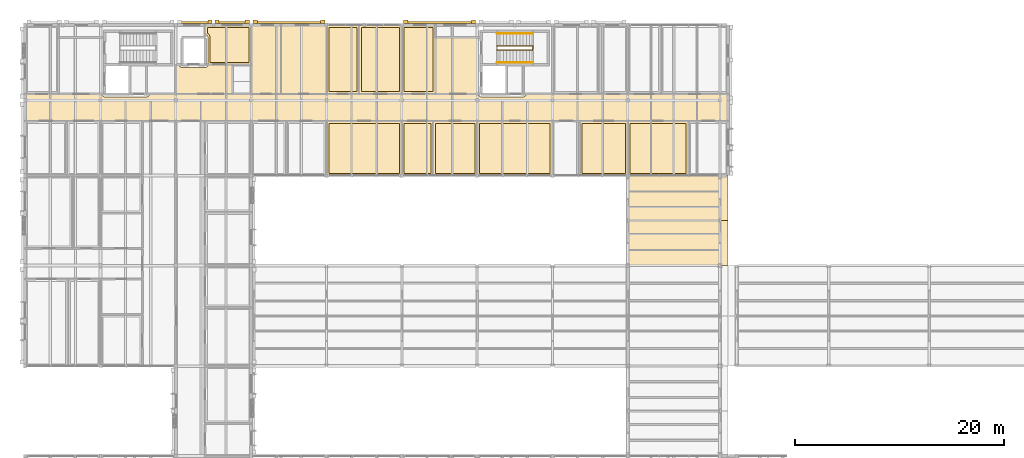
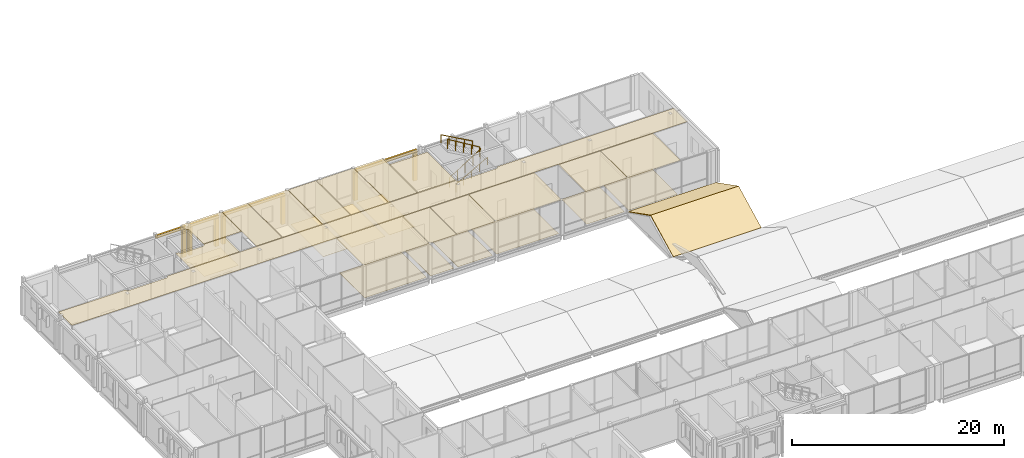
# One storey, part 108 of 115: 38 coverings, 3 railings.
"""IFC4 building model written with IfcOpenShell, lengths in metres."""

import ifcopenshell
import ifcopenshell.guid

model = None  # the IFC model being written
_history = None  # IfcOwnerHistory: only IFC2X3 demands one
_inside = {}  # id of a spatial element -> (the spatial element, [elements in it])
_under = {}  # id of a project, library or spatial element -> (it, [spatial elements below it])
_declared = {}  # id of a project -> (the project, [libraries it declares])
_typed = {}  # id of a type object -> (the type object, [elements of that type])
_made_of = {}  # id of a material, layer set ... -> (it, [elements and type objects made of it])


def new_model(schema):
    """Start an empty IFC model of exactly this schema.

    Asked for "IFC4X3", IfcOpenShell would pick the latest addendum, in which some entities
    have other attributes; the version numbers below select the first issue.
    IFC2X3 requires an IfcOwnerHistory on every rooted entity: one is made here for all.
    """
    global model, _history
    if schema == "IFC4X3":
        model = ifcopenshell.file(schema_version=(4, 3, 0, 0))
    else:
        model = ifcopenshell.file(schema=schema)
    _inside.clear()
    _under.clear()
    _declared.clear()
    _typed.clear()
    _made_of.clear()
    _history = None
    if model.schema == "IFC2X3":
        org = make("IfcOrganization", Name="unknown")
        user = make(
            "IfcPersonAndOrganization",
            ThePerson=make("IfcPerson", FamilyName="unknown"),
            TheOrganization=org,
        )
        app = make(
            "IfcApplication",
            ApplicationDeveloper=org,
            Version="unknown",
            ApplicationFullName="unknown",
            ApplicationIdentifier="unknown",
        )
        _history = make(
            "IfcOwnerHistory",
            OwningUser=user,
            OwningApplication=app,
            ChangeAction="ADDED",
            CreationDate=0,
        )
    return model


def make(cls, **values):
    """One entity of the class cls with the attributes given. An attribute that is None is left unset."""
    return model.create_entity(
        cls, **{name: value for name, value in values.items() if value is not None}
    )


def rooted(cls, **values):
    """An entity with a GlobalId (a new one), such as an element, a storey or a relation."""
    return make(cls, GlobalId=ifcopenshell.guid.new(), OwnerHistory=_history, **values)


def si_unit(unit_type, name, prefix=None):
    """IfcSIUnit, for example si_unit("LENGTHUNIT", "METRE", prefix="MILLI")."""
    return make("IfcSIUnit", UnitType=unit_type, Prefix=prefix, Name=name)


def assignment(units):
    """IfcUnitAssignment: the units of a project."""
    return None if units is None else make("IfcUnitAssignment", Units=units)


def point(xyz):
    """IfcCartesianPoint."""
    return None if xyz is None else make("IfcCartesianPoint", Coordinates=xyz)


def direction(xyz):
    """IfcDirection."""
    return None if xyz is None else make("IfcDirection", DirectionRatios=xyz)


def frame(location, z_axis=None, x_axis=None):
    """IfcAxis2Placement3D, a coordinate frame: its origin and axes. An axis left out is left unset."""
    return make(
        "IfcAxis2Placement3D",
        Location=point(location),
        Axis=direction(z_axis),
        RefDirection=direction(x_axis),
    )


def frame_2d(location, x_axis=None):
    """IfcAxis2Placement2D, a coordinate frame in the plane: its origin and x axis."""
    return make(
        "IfcAxis2Placement2D", Location=point(location), RefDirection=direction(x_axis)
    )


def origin():
    """The frame at (0, 0, 0) with its axes left unset."""
    return frame((0.0, 0.0, 0.0))


def origin_2d():
    """The frame at (0, 0) in the plane with its x axis left unset."""
    return frame_2d((0.0, 0.0))


def place(relative_to, where):
    """IfcLocalPlacement: puts the frame where relative to a parent placement (None: the world)."""
    return make(
        "IfcLocalPlacement", PlacementRelTo=relative_to, RelativePlacement=where
    )


def context(
    kind, dimensions, precision=None, world=None, true_north=None, identifier=None
):
    """IfcGeometricRepresentationContext, for example the 3D "Model" context."""
    return make(
        "IfcGeometricRepresentationContext",
        ContextIdentifier=identifier,
        ContextType=kind,
        CoordinateSpaceDimension=dimensions,
        Precision=precision,
        WorldCoordinateSystem=world,
        TrueNorth=true_north,
    )


def subcontext(parent, identifier, kind, view, scale=None):
    """IfcGeometricRepresentationSubContext, for example "Body" below "Model"."""
    return make(
        "IfcGeometricRepresentationSubContext",
        ContextIdentifier=identifier,
        ContextType=kind,
        ParentContext=parent,
        TargetScale=scale,
        TargetView=view,
    )


def project(units=None, contexts=None):
    """IfcProject with its units and contexts."""
    return rooted(
        "IfcProject",
        Name="project",
        RepresentationContexts=contexts,
        UnitsInContext=assignment(units),
    )


def spatial(cls, under=None, at=None, **own):
    """A site, building, storey or space (cls), placed at a placement, below another one or the project."""
    s = rooted(cls, ObjectPlacement=at, **own)
    if under is not None:
        _under.setdefault(under.id(), (under, []))[1].append(s)
    return s


def polyline(points):
    """IfcPolyline through the points."""
    return make("IfcPolyline", Points=[point(p) for p in points])


def profile(cls, at=None, kind="AREA", **sizes):
    """A parametric profile (cls). Its sizes go by their IFC names, for example OverallWidth=200.0."""
    return make(cls, ProfileType=kind, Position=at, **sizes)


def rectangle(**sizes):
    """IfcRectangleProfileDef."""
    return profile("IfcRectangleProfileDef", **sizes)


def circle(**sizes):
    """IfcCircleProfileDef."""
    return profile("IfcCircleProfileDef", **sizes)


def outline(outer, holes=None, kind="AREA"):
    """IfcArbitraryClosedProfileDef: a profile drawn as a closed curve; with holes, ...WithVoids."""
    if holes is None:
        return make("IfcArbitraryClosedProfileDef", ProfileType=kind, OuterCurve=outer)
    return make(
        "IfcArbitraryProfileDefWithVoids",
        ProfileType=kind,
        OuterCurve=outer,
        InnerCurves=holes,
    )


def extrude(swept, where, along, depth):
    """IfcExtrudedAreaSolid: the profile swept, set in the frame where, extruded along a direction by depth."""
    return make(
        "IfcExtrudedAreaSolid",
        SweptArea=swept,
        Position=where,
        ExtrudedDirection=direction(along),
        Depth=depth,
    )


def shape(context_of_items, identifier, shape_type, items):
    """IfcShapeRepresentation: the items that make up one representation, for example the "Body"."""
    return make(
        "IfcShapeRepresentation",
        ContextOfItems=context_of_items,
        RepresentationIdentifier=identifier,
        RepresentationType=shape_type,
        Items=items,
    )


def material(Name=None, Category=None):
    """IfcMaterial."""
    return make("IfcMaterial", Name=Name, Category=Category)


def layer(
    of_material, thickness, ventilated=None, Name=None, Category=None, Priority=None
):
    """IfcMaterialLayer: one layer of a wall or slab, of a material (None: an air gap)."""
    return make(
        "IfcMaterialLayer",
        Material=of_material,
        LayerThickness=thickness,
        IsVentilated=ventilated,
        Name=Name,
        Category=Category,
        Priority=Priority,
    )


def layer_set(layers, Name=None):
    """IfcMaterialLayerSet."""
    return make("IfcMaterialLayerSet", MaterialLayers=layers, LayerSetName=Name)


def made_of(thing, what):
    """Note that an element or type object is made of a material, layer set ...; save() writes the relation."""
    if what is not None:
        _made_of.setdefault(what.id(), (what, []))[1].append(thing)
    return thing


def type_object(cls, material=None, **own):
    """A type object (cls), such as IfcWallType, which elements share."""
    return made_of(rooted(cls, **own), material)


def element(
    cls,
    number,
    at=None,
    inside=None,
    cuts=None,
    type_object=None,
    material=None,
    context=None,
    identifier="Body",
    shape_type=None,
    held_by="IfcProductDefinitionShape",
    body=None,
    shapes=None,
    **own,
):
    """One element of the class cls, such as IfcWall. Its Tag is "e" and its number.

    at: its placement. inside: the storey or other place that contains it. cuts: it is an
    opening in that element (IfcRelVoidsElement). A single representation is given by context,
    identifier, shape_type and body (its items); several are given by shapes. held_by: the class
    of the entity that holds the representations. save() writes the other relations.
    """
    e = rooted(cls, Tag="e%d" % number, ObjectPlacement=at, **own)
    if body is not None:
        shapes = [shape(context, identifier, shape_type, body)]
    if shapes is not None:
        e.Representation = make(held_by, Representations=shapes)
    if inside is not None:
        _inside.setdefault(inside.id(), (inside, []))[1].append(e)
    if cuts is not None:
        rooted(
            "IfcRelVoidsElement", RelatingBuildingElement=cuts, RelatedOpeningElement=e
        )
    if type_object is not None:
        _typed.setdefault(type_object.id(), (type_object, []))[1].append(e)
    return made_of(e, material)


def aggregate(whole, parts):
    """IfcRelAggregates: a whole, such as a stair, and the parts it consists of."""
    return rooted("IfcRelAggregates", RelatingObject=whole, RelatedObjects=parts)


def save(model, path):
    """Write the relations noted so far, then the file.

    IfcRelAggregates (storeys below a building ...), IfcRelContainedInSpatialStructure (elements
    in a storey), IfcRelDefinesByType, IfcRelAssociatesMaterial and IfcRelDeclares: one each for
    every whole, place, type object, material and project.
    """
    for whole, parts in _under.values():
        aggregate(whole, parts)
    for where, things in _inside.values():
        rooted(
            "IfcRelContainedInSpatialStructure",
            RelatedElements=things,
            RelatingStructure=where,
        )
    for kind, things in _typed.values():
        rooted("IfcRelDefinesByType", RelatedObjects=things, RelatingType=kind)
    for what, things in _made_of.values():
        rooted("IfcRelAssociatesMaterial", RelatedObjects=things, RelatingMaterial=what)
    for by, libraries in _declared.values():
        rooted("IfcRelDeclares", RelatingContext=by, RelatedDefinitions=libraries)
    model.write(path)


model = new_model("IFC4")

# Units and contexts
model_context = context("Model", 3, precision=1e-05, world=origin(), true_north=direction((0.0, 1.0)))
body_context = subcontext(model_context, "Body", "Model", "MODEL_VIEW")
ifc_project = project(units=[si_unit("LENGTHUNIT", "METRE"), si_unit("AREAUNIT", "SQUARE_METRE"), si_unit("VOLUMEUNIT", "CUBIC_METRE"), si_unit("PLANEANGLEUNIT", "RADIAN"), si_unit("MASSUNIT", "GRAM", prefix="KILO")], contexts=[model_context])

# Site, building, storey
site_placement = place(None, origin())
site = spatial("IfcSite", under=ifc_project, at=site_placement, CompositionType="ELEMENT")
building_placement = place(site_placement, origin())
building = spatial("IfcBuilding", under=site, at=building_placement, Name="Hawrajan Terrace Health Centre", CompositionType="ELEMENT")
storey_placement = place(building_placement, frame((0.0, 0.0, 9.0)))
storey = spatial("IfcBuildingStorey", under=building, at=storey_placement, Name="L02", CompositionType="ELEMENT", Elevation=9.0)

# Coverings
ifc_material_1 = material(Name="Precast concrete C40/50", Category="concrete")
ifc_layer_1 = layer(ifc_material_1, 0.219970703125)
ifc_layer_set_1 = layer_set([ifc_layer_1], Name="Precast concrete C40/50")
covering_type_1 = type_object("IfcCoveringType", Name="ArtDecoCorniceBand", PredefinedType="CLADDING", material=ifc_layer_set_1)
covering_1_placement = place(storey_placement, frame((20.81005859375, 60.044921875, 3.22021484375), z_axis=(0.0, 0.0, 1.0), x_axis=(1.0, 0.0, 0.0)))
element("IfcCovering", 1, at=covering_1_placement, inside=storey, type_object=covering_type_1, Name="Art Deco limestone cornice band CRN-L02-0122", PredefinedType="CLADDING", context=body_context, shape_type="SweptSolid", body=[
    extrude(rectangle(XDim=3.300048828125, YDim=0.219970703125, at=origin_2d()), origin(), (0.0, 0.0, 1.0), 0.300048828125),
])
covering_2_placement = place(storey_placement, frame((24.3798828125, 60.044921875, 3.22021484375), z_axis=(0.0, 0.0, 1.0), x_axis=(1.0, 0.0, 0.0)))
element("IfcCovering", 2, at=covering_2_placement, inside=storey, type_object=covering_type_1, Name="Art Deco limestone cornice band CRN-L02-0123", PredefinedType="CLADDING", context=body_context, shape_type="SweptSolid", body=[
    extrude(rectangle(XDim=3.280029296875, YDim=0.219970703125, at=origin_2d()), origin(), (0.0, 0.0, 1.0), 0.300048828125),
])
for number, where, z_axis, x_axis, name in (
    (3, (29.81005859375, 60.044921875, 3.22021484375), (0.0, 0.0, 1.0), (1.0, 0.0, 0.0), "Art Deco limestone cornice band CRN-L02-0125"),
    (4, (44.2099609375, 60.044921875, 3.22021484375), (0.0, 0.0, 1.0), (1.0, 0.0, 0.0), "Art Deco limestone cornice band CRN-L02-0128"),
):
    element("IfcCovering", number, at=place(storey_placement, frame(where, z_axis=z_axis, x_axis=x_axis)), inside=storey, type_object=covering_type_1, Name=name, PredefinedType="CLADDING", context=body_context, shape_type="SweptSolid", body=[
        extrude(rectangle(XDim=6.860107421875, YDim=0.219970703125, at=origin_2d()), origin(), (0.0, 0.0, 1.0), 0.300048828125),
    ])
ifc_layer_2 = layer(ifc_material_1, 0.340087890625)
ifc_layer_set_2 = layer_set([ifc_layer_2], Name="Precast concrete C40/50")
covering_type_2 = type_object("IfcCoveringType", Name="ArtDecoStonePilaster", PredefinedType="CLADDING", material=ifc_layer_set_2)
for number, where, z_axis, x_axis, name in (
    (5, (22.260009765625, 60.10498046875, 0.0), (0.0, 0.0, 1.0), (1.0, 0.0, 0.0), "Art Deco fluted limestone pilaster FPIL-L02-0229"),
    (6, (22.93994140625, 60.10498046875, 0.0), (0.0, 0.0, 1.0), (1.0, 0.0, 0.0), "Art Deco fluted limestone pilaster FPIL-L02-0230"),
    (7, (25.820068359375, 60.10498046875, 0.0), (0.0, 0.0, 1.0), (1.0, 0.0, 0.0), "Art Deco fluted limestone pilaster FPIL-L02-0231"),
    (8, (26.580078125, 60.10498046875, 0.0), (0.0, 0.0, 1.0), (1.0, 0.0, 0.0), "Art Deco fluted limestone pilaster FPIL-L02-0235"),
    (9, (33.0400390625, 60.10498046875, 0.0), (0.0, 0.0, 1.0), (1.0, 0.0, 0.0), "Art Deco fluted limestone pilaster FPIL-L02-0236"),
    (10, (40.97998046875, 60.10498046875, 0.0), (0.0, 0.0, 1.0), (1.0, 0.0, 0.0), "Art Deco fluted limestone pilaster FPIL-L02-0243"),
    (11, (47.43994140625, 60.10498046875, 0.0), (0.0, 0.0, 1.0), (1.0, 0.0, 0.0), "Art Deco fluted limestone pilaster FPIL-L02-0244"),
):
    element("IfcCovering", number, at=place(storey_placement, frame(where, z_axis=z_axis, x_axis=x_axis)), inside=storey, type_object=covering_type_2, Name=name, PredefinedType="CLADDING", context=body_context, shape_type="SweptSolid", body=[
        extrude(rectangle(XDim=0.39990234375, YDim=0.340087890625, at=origin_2d()), origin(), (0.0, 0.0, 1.0), 3.2099609375),
    ])
ifc_material_2 = material(Name="Hygienic mineral-fibre acoustic tile ceiling")
ifc_layer_3 = layer(ifc_material_2, 0.02490234375)
ifc_layer_set_3 = layer_set([ifc_layer_3], Name="Hygienic mineral-fibre acoustic tile ceiling")
covering_type_3 = type_object("IfcCoveringType", Name="ClinicalAcousticCeiling_25", PredefinedType="CEILING", material=ifc_layer_set_3)
covering_3_placement = place(storey_placement, frame((0.0, 0.0, 3.93505859375)))
element("IfcCovering", 12, at=covering_3_placement, inside=storey, type_object=covering_type_3, Name="Suspended ceiling L02-019", PredefinedType="CEILING", context=body_context, shape_type="SweptSolid", body=[
    extrude(outline(polyline([(43.820068359375, 53.219970703125), (43.820068359375, 58.580078125), (47.929931640625, 58.580078125), (47.929931640625, 53.219970703125), (43.820068359375, 53.219970703125)])), origin(), (0.0, 0.0, 1.0), 0.02490234375),
])
covering_4_placement = place(storey_placement, frame((0.0, 0.0, 3.93505859375)))
element("IfcCovering", 13, at=covering_4_placement, inside=storey, type_object=covering_type_3, Name="Suspended ceiling L02-022", PredefinedType="CEILING", context=body_context, shape_type="SweptSolid", body=[
    extrude(outline(polyline([(24.3798828125, 55.97998046875), (24.3798828125, 53.219970703125), (19.02001953125, 53.219970703125), (19.02001953125, 55.97998046875), (19.3310546875, 55.97998046875), (19.331298828125, 55.974609375), (19.331298828125, 55.97265625), (19.3349609375, 55.9482421875), (19.33544921875, 55.9462890625), (19.34130859375, 55.922607421875), (19.341796875, 55.920654296875), (19.35009765625, 55.897705078125), (19.35107421875, 55.895751953125), (19.361328125, 55.87353515625), (19.3623046875, 55.871826171875), (19.375, 55.850830078125), (19.376220703125, 55.84912109375), (19.390625, 55.82958984375), (19.391845703125, 55.827880859375), (19.408447265625, 55.809814453125), (19.409912109375, 55.808349609375), (19.427978515625, 55.7919921875), (19.429443359375, 55.790771484375), (19.44921875, 55.776123046875), (19.45068359375, 55.77490234375), (19.471923828125, 55.762451171875), (19.4736328125, 55.761474609375), (19.495849609375, 55.7509765625), (19.49755859375, 55.750244140625), (19.520751953125, 55.741943359375), (19.522705078125, 55.741455078125), (19.54638671875, 55.7353515625), (19.54833984375, 55.735107421875), (19.572509765625, 55.7314453125), (19.574462890625, 55.731201171875), (19.59912109375, 55.72998046875), (19.60009765625, 55.72998046875), (21.800048828125, 55.72998046875), (21.801025390625, 55.72998046875), (21.825439453125, 55.731201171875), (21.827392578125, 55.7314453125), (21.851806640625, 55.735107421875), (21.853515625, 55.7353515625), (21.87744140625, 55.741455078125), (21.87939453125, 55.741943359375), (21.90234375, 55.750244140625), (21.904296875, 55.7509765625), (21.926513671875, 55.761474609375), (21.927978515625, 55.762451171875), (21.94921875, 55.77490234375), (21.95068359375, 55.776123046875), (21.970458984375, 55.790771484375), (21.971923828125, 55.7919921875), (21.990234375, 55.808349609375), (21.99169921875, 55.809814453125), (22.008056640625, 55.827880859375), (22.00927734375, 55.82958984375), (22.02392578125, 55.84912109375), (22.02490234375, 55.850830078125), (22.03759765625, 55.871826171875), (22.03857421875, 55.87353515625), (22.049072265625, 55.895751953125), (22.0498046875, 55.897705078125), (22.05810546875, 55.920654296875), (22.05859375, 55.922607421875), (22.064697265625, 55.9462890625), (22.06494140625, 55.9482421875), (22.068603515625, 55.97265625), (22.06884765625, 55.974609375), (22.069091796875, 55.97998046875), (24.3798828125, 55.97998046875)])), origin(), (0.0, 0.0, 1.0), 0.02490234375),
])
covering_5_placement = place(storey_placement, frame((0.0, 0.0, 3.93505859375)))
element("IfcCovering", 14, at=covering_5_placement, inside=storey, type_object=covering_type_3, Name="Suspended ceiling L02-024", PredefinedType="CEILING", context=body_context, shape_type="SweptSolid", body=[
    extrude(outline(polyline([(71.77490234375, 53.179931640625), (71.77490234375, 50.6201171875), (4.6201171875, 50.6201171875), (4.6201171875, 53.179931640625), (11.930908203125, 53.179931640625), (11.93115234375, 53.174560546875), (11.931396484375, 53.172607421875), (11.93505859375, 53.148193359375), (11.935302734375, 53.146484375), (11.94140625, 53.12255859375), (11.94189453125, 53.12060546875), (11.9501953125, 53.09765625), (11.950927734375, 53.095703125), (11.96142578125, 53.073486328125), (11.96240234375, 53.072021484375), (11.97509765625, 53.05078125), (11.97607421875, 53.04931640625), (11.99072265625, 53.029541015625), (11.991943359375, 53.028076171875), (12.00830078125, 53.009765625), (12.009765625, 53.00830078125), (12.028076171875, 52.991943359375), (12.029541015625, 52.99072265625), (12.04931640625, 52.97607421875), (12.05078125, 52.97509765625), (12.072021484375, 52.96240234375), (12.073486328125, 52.96142578125), (12.095703125, 52.950927734375), (12.09765625, 52.9501953125), (12.12060546875, 52.94189453125), (12.12255859375, 52.94140625), (12.146484375, 52.935302734375), (12.148193359375, 52.93505859375), (12.172607421875, 52.931396484375), (12.174560546875, 52.93115234375), (12.198974609375, 52.929931640625), (12.199951171875, 52.929931640625), (16.199951171875, 52.929931640625), (16.200927734375, 52.929931640625), (16.2255859375, 52.93115234375), (16.227294921875, 52.931396484375), (16.251708984375, 52.93505859375), (16.253662109375, 52.935302734375), (16.27734375, 52.94140625), (16.279296875, 52.94189453125), (16.302490234375, 52.9501953125), (16.30419921875, 52.950927734375), (16.326416015625, 52.96142578125), (16.328125, 52.96240234375), (16.34912109375, 52.97509765625), (16.350830078125, 52.97607421875), (16.37060546875, 52.99072265625), (16.3720703125, 52.991943359375), (16.39013671875, 53.00830078125), (16.3916015625, 53.009765625), (16.408203125, 53.028076171875), (16.4091796875, 53.029541015625), (16.423828125, 53.04931640625), (16.425048828125, 53.05078125), (16.4375, 53.072021484375), (16.438720703125, 53.073486328125), (16.448974609375, 53.095703125), (16.44970703125, 53.09765625), (16.4580078125, 53.12060546875), (16.45849609375, 53.12255859375), (16.464599609375, 53.146484375), (16.465087890625, 53.148193359375), (16.468505859375, 53.172607421875), (16.46875, 53.174560546875), (16.468994140625, 53.179931640625), (47.930908203125, 53.179931640625), (47.93115234375, 53.174560546875), (47.931396484375, 53.172607421875), (47.93505859375, 53.148193359375), (47.935302734375, 53.146484375), (47.94140625, 53.12255859375), (47.94189453125, 53.12060546875), (47.9501953125, 53.09765625), (47.950927734375, 53.095703125), (47.96142578125, 53.073486328125), (47.96240234375, 53.072021484375), (47.97509765625, 53.05078125), (47.97607421875, 53.04931640625), (47.99072265625, 53.029541015625), (47.991943359375, 53.028076171875), (48.00830078125, 53.009765625), (48.009765625, 53.00830078125), (48.028076171875, 52.991943359375), (48.029541015625, 52.99072265625), (48.04931640625, 52.97607421875), (48.05078125, 52.97509765625), (48.072021484375, 52.96240234375), (48.073486328125, 52.96142578125), (48.095703125, 52.950927734375), (48.09765625, 52.9501953125), (48.12060546875, 52.94189453125), (48.12255859375, 52.94140625), (48.146484375, 52.935302734375), (48.148193359375, 52.93505859375), (48.172607421875, 52.931396484375), (48.174560546875, 52.93115234375), (48.198974609375, 52.929931640625), (48.199951171875, 52.929931640625), (52.199951171875, 52.929931640625), (52.200927734375, 52.929931640625), (52.2255859375, 52.93115234375), (52.227294921875, 52.931396484375), (52.251708984375, 52.93505859375), (52.253662109375, 52.935302734375), (52.27734375, 52.94140625), (52.279296875, 52.94189453125), (52.302490234375, 52.9501953125), (52.30419921875, 52.950927734375), (52.326416015625, 52.96142578125), (52.328125, 52.96240234375), (52.34912109375, 52.97509765625), (52.350830078125, 52.97607421875), (52.37060546875, 52.99072265625), (52.3720703125, 52.991943359375), (52.39013671875, 53.00830078125), (52.3916015625, 53.009765625), (52.408203125, 53.028076171875), (52.4091796875, 53.029541015625), (52.423828125, 53.04931640625), (52.425048828125, 53.05078125), (52.4375, 53.072021484375), (52.438720703125, 53.073486328125), (52.448974609375, 53.095703125), (52.44970703125, 53.09765625), (52.4580078125, 53.12060546875), (52.45849609375, 53.12255859375), (52.464599609375, 53.146484375), (52.465087890625, 53.148193359375), (52.468505859375, 53.172607421875), (52.46875, 53.174560546875), (52.468994140625, 53.179931640625), (71.77490234375, 53.179931640625)])), origin(), (0.0, 0.0, 1.0), 0.02490234375),
])
covering_6_placement = place(storey_placement, frame((0.0, 0.0, 3.93505859375)))
element("IfcCovering", 15, at=covering_6_placement, inside=storey, type_object=covering_type_3, Name="Suspended ceiling L02-040", PredefinedType="CEILING", context=body_context, shape_type="SweptSolid", body=[
    extrude(outline(polyline([(26.219970703125, 59.780029296875), (29.030029296875, 59.780029296875), (29.030029296875, 53.219970703125), (26.219970703125, 53.219970703125), (26.219970703125, 59.780029296875)])), origin(), (0.0, 0.0, 1.0), 0.02490234375),
])
covering_7_placement = place(storey_placement, frame((0.0, 0.0, 3.93505859375)))
element("IfcCovering", 16, at=covering_7_placement, inside=storey, type_object=covering_type_3, Name="Suspended ceiling L02-041", PredefinedType="CEILING", context=body_context, shape_type="SweptSolid", body=[
    extrude(outline(polyline([(29.070068359375, 59.780029296875), (33.3798828125, 59.780029296875), (33.3798828125, 53.219970703125), (29.070068359375, 53.219970703125), (29.070068359375, 59.780029296875)])), origin(), (0.0, 0.0, 1.0), 0.02490234375),
])
covering_8_placement = place(storey_placement, frame((0.0, 0.0, 3.93505859375)))
element("IfcCovering", 17, at=covering_8_placement, inside=storey, type_object=covering_type_3, Name="Suspended ceiling L02-064", PredefinedType="CEILING", context=body_context, shape_type="SweptSolid", body=[
    extrude(outline(polyline([(21.820068359375, 59.780029296875), (26.179931640625, 59.780029296875), (26.179931640625, 56.02001953125), (22.070068359375, 56.02001953125), (22.070068359375, 58.60009765625), (22.070068359375, 58.60107421875), (22.06884765625, 58.62548828125), (22.068603515625, 58.62744140625), (22.06494140625, 58.651611328125), (22.064697265625, 58.653564453125), (22.05859375, 58.677490234375), (22.05810546875, 58.67919921875), (22.0498046875, 58.702392578125), (22.049072265625, 58.7041015625), (22.03857421875, 58.726318359375), (22.03759765625, 58.72802734375), (22.02490234375, 58.749267578125), (22.02392578125, 58.750732421875), (22.00927734375, 58.7705078125), (22.008056640625, 58.77197265625), (21.99169921875, 58.790283203125), (21.990234375, 58.79150390625), (21.971923828125, 58.80810546875), (21.970458984375, 58.809326171875), (21.95068359375, 58.823974609375), (21.94921875, 58.824951171875), (21.927978515625, 58.837646484375), (21.926513671875, 58.838623046875), (21.904296875, 58.84912109375), (21.90234375, 58.849853515625), (21.87939453125, 58.858154296875), (21.87744140625, 58.858642578125), (21.853515625, 58.864501953125), (21.851806640625, 58.864990234375), (21.827392578125, 58.86865234375), (21.825439453125, 58.868896484375), (21.820068359375, 58.868896484375), (21.820068359375, 59.780029296875)])), origin(), (0.0, 0.0, 1.0), 0.02490234375),
])
covering_9_placement = place(storey_placement, frame((0.0, 0.0, 3.93505859375)))
element("IfcCovering", 18, at=covering_9_placement, inside=storey, type_object=covering_type_3, Name="Suspended ceiling L02-067", PredefinedType="CEILING", context=body_context, shape_type="SweptSolid", body=[
    extrude(outline(polyline([(33.419921875, 50.580078125), (40.580078125, 50.580078125), (40.580078125, 45.419921875), (33.419921875, 45.419921875), (33.419921875, 50.580078125)])), origin(), (0.0, 0.0, 1.0), 0.02490234375),
])
covering_10_placement = place(storey_placement, frame((0.0, 0.0, 3.93505859375)))
element("IfcCovering", 19, at=covering_10_placement, inside=storey, type_object=covering_type_3, Name="Suspended ceiling L02-068", PredefinedType="CEILING", context=body_context, shape_type="SweptSolid", body=[
    extrude(outline(polyline([(33.419921875, 59.780029296875), (36.490478515625, 59.780029296875), (36.490478515625, 53.219970703125), (33.419921875, 53.219970703125), (33.419921875, 59.780029296875)])), origin(), (0.0, 0.0, 1.0), 0.02490234375),
])
covering_11_placement = place(storey_placement, frame((0.0, 0.0, 3.93505859375)))
element("IfcCovering", 20, at=covering_11_placement, inside=storey, type_object=covering_type_3, Name="Suspended ceiling L02-069", PredefinedType="CEILING", context=body_context, shape_type="SweptSolid", body=[
    extrude(outline(polyline([(36.530517578125, 59.780029296875), (40.580078125, 59.780029296875), (40.580078125, 53.219970703125), (36.530517578125, 53.219970703125), (36.530517578125, 59.780029296875)])), origin(), (0.0, 0.0, 1.0), 0.02490234375),
])
covering_12_placement = place(storey_placement, frame((0.0, 0.0, 3.93505859375)))
element("IfcCovering", 21, at=covering_12_placement, inside=storey, type_object=covering_type_3, Name="Suspended ceiling L02-070", PredefinedType="CEILING", context=body_context, shape_type="SweptSolid", body=[
    extrude(outline(polyline([(40.6201171875, 50.580078125), (43.568115234375, 50.580078125), (43.568115234375, 45.419921875), (40.6201171875, 45.419921875), (40.6201171875, 50.580078125)])), origin(), (0.0, 0.0, 1.0), 0.02490234375),
])
covering_13_placement = place(storey_placement, frame((0.0, 0.0, 3.93505859375)))
element("IfcCovering", 22, at=covering_13_placement, inside=storey, type_object=covering_type_3, Name="Suspended ceiling L02-071", PredefinedType="CEILING", context=body_context, shape_type="SweptSolid", body=[
    extrude(outline(polyline([(43.60791015625, 50.580078125), (47.780029296875, 50.580078125), (47.780029296875, 45.419921875), (43.60791015625, 45.419921875), (43.60791015625, 50.580078125)])), origin(), (0.0, 0.0, 1.0), 0.02490234375),
])
covering_14_placement = place(storey_placement, frame((0.0, 0.0, 3.93505859375)))
element("IfcCovering", 23, at=covering_14_placement, inside=storey, type_object=covering_type_3, Name="Suspended ceiling L02-072", PredefinedType="CEILING", context=body_context, shape_type="SweptSolid", body=[
    extrude(outline(polyline([(40.6201171875, 59.780029296875), (43.780029296875, 59.780029296875), (43.780029296875, 53.219970703125), (40.6201171875, 53.219970703125), (40.6201171875, 59.780029296875)])), origin(), (0.0, 0.0, 1.0), 0.02490234375),
])
covering_15_placement = place(storey_placement, frame((0.0, 0.0, 3.93505859375)))
element("IfcCovering", 24, at=covering_15_placement, inside=storey, type_object=covering_type_3, Name="Suspended ceiling L02-073", PredefinedType="CEILING", context=body_context, shape_type="SweptSolid", body=[
    extrude(outline(polyline([(47.820068359375, 50.580078125), (54.97998046875, 50.580078125), (54.97998046875, 45.419921875), (47.820068359375, 45.419921875), (47.820068359375, 50.580078125)])), origin(), (0.0, 0.0, 1.0), 0.02490234375),
])
covering_16_placement = place(storey_placement, frame((0.0, 0.0, 3.93505859375)))
element("IfcCovering", 25, at=covering_16_placement, inside=storey, type_object=covering_type_3, Name="Suspended ceiling L02-075", PredefinedType="CEILING", context=body_context, shape_type="SweptSolid", body=[
    extrude(outline(polyline([(57.640869140625, 50.580078125), (62.179931640625, 50.580078125), (62.179931640625, 45.419921875), (57.640869140625, 45.419921875), (57.640869140625, 50.580078125)])), origin(), (0.0, 0.0, 1.0), 0.02490234375),
])
covering_17_placement = place(storey_placement, frame((0.0, 0.0, 3.93505859375)))
element("IfcCovering", 26, at=covering_17_placement, inside=storey, type_object=covering_type_3, Name="Suspended ceiling L02-078", PredefinedType="CEILING", context=body_context, shape_type="SweptSolid", body=[
    extrude(outline(polyline([(62.219970703125, 50.580078125), (67.956298828125, 50.580078125), (67.956298828125, 45.419921875), (62.219970703125, 45.419921875), (62.219970703125, 50.580078125)])), origin(), (0.0, 0.0, 1.0), 0.02490234375),
])
ifc_material_3 = material(Name="Seamless medical-grade cushioned vinyl flooring")
ifc_layer_4 = layer(ifc_material_3, 0.011962890625)
ifc_layer_set_4 = layer_set([ifc_layer_4], Name="Seamless medical-grade cushioned vinyl flooring")
covering_type_4 = type_object("IfcCoveringType", Name="ClinicalVinylFlooring_12", PredefinedType="FLOORING", material=ifc_layer_set_4)
covering_18_placement = place(storey_placement, origin())
element("IfcCovering", 27, at=covering_18_placement, inside=storey, type_object=covering_type_4, Name="Floor finish L02-064", PredefinedType="FLOORING", context=body_context, shape_type="SweptSolid", body=[
    extrude(outline(polyline([(22.02001953125, 59.015380859375), (22.02001953125, 59.580078125), (25.97998046875, 59.580078125), (25.97998046875, 56.219970703125), (22.27001953125, 56.219970703125), (22.27001953125, 58.60009765625), (22.27001953125, 58.60498046875), (22.27001953125, 58.60595703125), (22.269775390625, 58.61083984375), (22.2685546875, 58.63525390625), (22.267822265625, 58.64501953125), (22.267578125, 58.64697265625), (22.266357421875, 58.65673828125), (22.2626953125, 58.68115234375), (22.260986328125, 58.690673828125), (22.2607421875, 58.692626953125), (22.258544921875, 58.7021484375), (22.252685546875, 58.72607421875), (22.25, 58.735595703125), (22.24951171875, 58.7373046875), (22.246337890625, 58.74658203125), (22.238037109375, 58.769775390625), (22.234619140625, 58.77880859375), (22.23388671875, 58.78076171875), (22.229736328125, 58.789794921875), (22.219482421875, 58.81201171875), (22.21484375, 58.82080078125), (22.214111328125, 58.822509765625), (22.209228515625, 58.8310546875), (22.196533203125, 58.85205078125), (22.19140625, 58.8603515625), (22.190185546875, 58.86181640625), (22.1845703125, 58.869873046875), (22.169921875, 58.8896484375), (22.163818359375, 58.8974609375), (22.16259765625, 58.89892578125), (22.15625, 58.90625), (22.139892578125, 58.924560546875), (22.133056640625, 58.931640625), (22.131591796875, 58.93310546875), (22.12451171875, 58.939697265625), (22.106201171875, 58.956298828125), (22.098876953125, 58.962646484375), (22.097412109375, 58.9638671875), (22.089599609375, 58.969970703125), (22.06982421875, 58.984619140625), (22.06201171875, 58.990234375), (22.060302734375, 58.9912109375), (22.052001953125, 58.99658203125), (22.031005859375, 59.00927734375), (22.0224609375, 59.013916015625), (22.020751953125, 59.014892578125), (22.02001953125, 59.015380859375)])), origin(), (0.0, 0.0, 1.0), 0.011962890625),
])
covering_19_placement = place(storey_placement, origin())
element("IfcCovering", 28, at=covering_19_placement, inside=storey, type_object=covering_type_4, Name="Floor finish L02-067", PredefinedType="FLOORING", context=body_context, shape_type="SweptSolid", body=[
    extrude(outline(polyline([(33.6201171875, 50.3798828125), (40.3798828125, 50.3798828125), (40.3798828125, 45.6201171875), (33.6201171875, 45.6201171875), (33.6201171875, 50.3798828125)])), origin(), (0.0, 0.0, 1.0), 0.011962890625),
])
covering_20_placement = place(storey_placement, origin())
element("IfcCovering", 29, at=covering_20_placement, inside=storey, type_object=covering_type_4, Name="Floor finish L02-068", PredefinedType="FLOORING", context=body_context, shape_type="SweptSolid", body=[
    extrude(outline(polyline([(33.6201171875, 59.580078125), (36.290283203125, 59.580078125), (36.290283203125, 53.419921875), (33.6201171875, 53.419921875), (33.6201171875, 59.580078125)])), origin(), (0.0, 0.0, 1.0), 0.011962890625),
])
covering_21_placement = place(storey_placement, origin())
element("IfcCovering", 30, at=covering_21_placement, inside=storey, type_object=covering_type_4, Name="Floor finish L02-069", PredefinedType="FLOORING", context=body_context, shape_type="SweptSolid", body=[
    extrude(outline(polyline([(36.73046875, 59.580078125), (40.3798828125, 59.580078125), (40.3798828125, 53.419921875), (36.73046875, 53.419921875), (36.73046875, 59.580078125)])), origin(), (0.0, 0.0, 1.0), 0.011962890625),
])
covering_22_placement = place(storey_placement, origin())
element("IfcCovering", 31, at=covering_22_placement, inside=storey, type_object=covering_type_4, Name="Floor finish L02-070", PredefinedType="FLOORING", context=body_context, shape_type="SweptSolid", body=[
    extrude(outline(polyline([(40.820068359375, 50.3798828125), (43.367919921875, 50.3798828125), (43.367919921875, 45.6201171875), (40.820068359375, 45.6201171875), (40.820068359375, 50.3798828125)])), origin(), (0.0, 0.0, 1.0), 0.011962890625),
])
covering_23_placement = place(storey_placement, origin())
element("IfcCovering", 32, at=covering_23_placement, inside=storey, type_object=covering_type_4, Name="Floor finish L02-071", PredefinedType="FLOORING", context=body_context, shape_type="SweptSolid", body=[
    extrude(outline(polyline([(43.80810546875, 50.3798828125), (47.580078125, 50.3798828125), (47.580078125, 45.6201171875), (43.80810546875, 45.6201171875), (43.80810546875, 50.3798828125)])), origin(), (0.0, 0.0, 1.0), 0.011962890625),
])
covering_24_placement = place(storey_placement, origin())
element("IfcCovering", 33, at=covering_24_placement, inside=storey, type_object=covering_type_4, Name="Floor finish L02-072", PredefinedType="FLOORING", context=body_context, shape_type="SweptSolid", body=[
    extrude(outline(polyline([(40.820068359375, 59.580078125), (43.580078125, 59.580078125), (43.580078125, 53.419921875), (40.820068359375, 53.419921875), (40.820068359375, 59.580078125)])), origin(), (0.0, 0.0, 1.0), 0.011962890625),
])
covering_25_placement = place(storey_placement, origin())
element("IfcCovering", 34, at=covering_25_placement, inside=storey, type_object=covering_type_4, Name="Floor finish L02-073", PredefinedType="FLOORING", context=body_context, shape_type="SweptSolid", body=[
    extrude(outline(polyline([(48.02001953125, 50.3798828125), (54.780029296875, 50.3798828125), (54.780029296875, 45.6201171875), (48.02001953125, 45.6201171875), (48.02001953125, 50.3798828125)])), origin(), (0.0, 0.0, 1.0), 0.011962890625),
])
covering_26_placement = place(storey_placement, origin())
element("IfcCovering", 35, at=covering_26_placement, inside=storey, type_object=covering_type_4, Name="Floor finish L02-075", PredefinedType="FLOORING", context=body_context, shape_type="SweptSolid", body=[
    extrude(outline(polyline([(57.8408203125, 50.3798828125), (61.97998046875, 50.3798828125), (61.97998046875, 45.6201171875), (57.8408203125, 45.6201171875), (57.8408203125, 50.3798828125)])), origin(), (0.0, 0.0, 1.0), 0.011962890625),
])
covering_27_placement = place(storey_placement, origin())
element("IfcCovering", 36, at=covering_27_placement, inside=storey, type_object=covering_type_4, Name="Floor finish L02-078", PredefinedType="FLOORING", context=body_context, shape_type="SweptSolid", body=[
    extrude(outline(polyline([(62.419921875, 50.3798828125), (67.756103515625, 50.3798828125), (67.756103515625, 45.6201171875), (62.419921875, 45.6201171875), (62.419921875, 50.3798828125)])), origin(), (0.0, 0.0, 1.0), 0.011962890625),
])

# Railings
ifc_material_4 = material(Name="Brushed stainless steel tubular handrail", Category="steel")
railing_type_1 = type_object("IfcRailingType", Name="StairHandrail_900", PredefinedType="HANDRAIL", material=ifc_material_4)
railing_1_placement = place(storey_placement, frame((49.675048828125, 56.199951171875, 0.175048828125)))
element("IfcRailing", 37, at=railing_1_placement, inside=storey, type_object=railing_type_1, Name="Stair handrail ST-2-L02-H1", PredefinedType="HANDRAIL", context=body_context, shape_type="SweptSolid", body=[
    extrude(circle(Radius=0.02392578125, at=origin_2d()), frame((0.025146484375, 0.0, 0.889892578125), z_axis=(0.873252128816, 0.0, 0.487268631782), x_axis=(0.0, 1.0, 0.0)), (0.0, 0.0, 1.0), 3.89306640625),
    extrude(circle(Radius=0.02099609375, at=origin_2d()), origin(), (0.0, 0.0, 1.0), 0.846923828125),
    extrude(circle(Radius=0.02099609375, at=origin_2d()), frame((0.862548828125, 0.0, 0.481201171875)), (0.0, 0.0, 1.0), 0.846923828125),
    extrude(circle(Radius=0.02099609375, at=origin_2d()), frame((1.72509765625, 0.0, 0.96240234375)), (0.0, 0.0, 1.0), 0.846923828125),
    extrude(circle(Radius=0.02099609375, at=origin_2d()), frame((2.58740234375, 0.0, 1.44384765625)), (0.0, 0.0, 1.0), 0.846923828125),
    extrude(circle(Radius=0.02099609375, at=origin_2d()), frame((3.449951171875, 0.0, 1.925048828125)), (0.0, 0.0, 1.0), 0.846923828125),
])
railing_2_placement = place(storey_placement, frame((53.125, 59.0, 2.27490234375)))
element("IfcRailing", 38, at=railing_2_placement, inside=storey, type_object=railing_type_1, Name="Stair handrail ST-2-L02-H2", PredefinedType="HANDRAIL", context=body_context, shape_type="SweptSolid", body=[
    extrude(circle(Radius=0.02392578125, at=origin_2d()), frame((-0.025146484375, 0.0, 0.889892578125), z_axis=(-0.873252128816, 0.0, 0.487268631782), x_axis=(0.0, -1.0, 0.0)), (0.0, 0.0, 1.0), 3.89306640625),
    extrude(circle(Radius=0.02099609375, at=origin_2d()), origin(), (0.0, 0.0, 1.0), 0.846923828125),
    extrude(circle(Radius=0.02099609375, at=origin_2d()), frame((-0.862548828125, 0.0, 0.481201171875)), (0.0, 0.0, 1.0), 0.846923828125),
    extrude(circle(Radius=0.02099609375, at=origin_2d()), frame((-1.72509765625, 0.0, 0.96240234375)), (0.0, 0.0, 1.0), 0.846923828125),
    extrude(circle(Radius=0.02099609375, at=origin_2d()), frame((-2.58740234375, 0.0, 1.44384765625)), (0.0, 0.0, 1.0), 0.846923828125),
    extrude(circle(Radius=0.02099609375, at=origin_2d()), frame((-3.449951171875, 0.0, 1.925048828125)), (0.0, 0.0, 1.0), 0.846923828125),
])
ifc_material_5 = material(Name="Painted steel stair well guard", Category="steel")
railing_type_2 = type_object("IfcRailingType", Name="StairWellGuard_1120", PredefinedType="GUARDRAIL", material=ifc_material_5)
railing_3_placement = place(storey_placement, frame((49.699951171875, 57.419921875, 0.0)))
element("IfcRailing", 39, at=railing_3_placement, inside=storey, type_object=railing_type_2, Name="Stair well guard ST-2-L02-G1", PredefinedType="GUARDRAIL", context=body_context, shape_type="SweptSolid", body=[
    extrude(circle(Radius=0.02392578125, at=origin_2d()), frame((0.024658203125, 0.0, 1.111328125), z_axis=(0.850797194049, 0.0, 0.525494181317), x_axis=(0.0, 1.0, 0.0)), (0.0, 0.0, 1.0), 3.938720703125),
    extrude(circle(Radius=0.02392578125, at=origin_2d()), frame((3.404052734375, 0.028564453125, 3.1962890625), z_axis=(0.137000993654, 0.99057091, 0.0), x_axis=(-0.99057091, 0.137000993654, 0.0)), (0.0, 0.0, 1.0), 0.305908203125),
    extrude(circle(Radius=0.02392578125, at=origin_2d()), frame((3.42529296875, 0.360107421875, 3.211181640625), z_axis=(-0.854211395654, 0.0, 0.519925851958), x_axis=(0.0, -1.0, 0.0)), (0.0, 0.0, 1.0), 3.98095703125),
    extrude(circle(Radius=0.02099609375, at=origin_2d()), origin(), (0.0, 0.0, 1.0), 1.067138671875),
    extrude(circle(Radius=0.02099609375, at=origin_2d()), frame((0.85009765625, 0.0, 0.52490234375)), (0.0, 0.0, 1.0), 1.067138671875),
    extrude(circle(Radius=0.02099609375, at=origin_2d()), frame((1.7001953125, 0.0, 1.050048828125)), (0.0, 0.0, 1.0), 1.067138671875),
    extrude(circle(Radius=0.02099609375, at=origin_2d()), frame((2.550048828125, 0.0, 1.5751953125)), (0.0, 0.0, 1.0), 1.067138671875),
    extrude(circle(Radius=0.02099609375, at=origin_2d()), frame((3.400146484375, 0.0, 2.10009765625)), (0.0, 0.0, 1.0), 1.067138671875),
    extrude(circle(Radius=0.02099609375, at=origin_2d()), frame((3.449951171875, 0.360107421875, 2.10009765625)), (0.0, 0.0, 1.0), 1.067138671875),
    extrude(circle(Radius=0.02099609375, at=origin_2d()), frame((2.58740234375, 0.360107421875, 2.625)), (0.0, 0.0, 1.0), 1.067138671875),
    extrude(circle(Radius=0.02099609375, at=origin_2d()), frame((1.72509765625, 0.360107421875, 3.14990234375)), (0.0, 0.0, 1.0), 1.067138671875),
    extrude(circle(Radius=0.02099609375, at=origin_2d()), frame((0.862548828125, 0.360107421875, 3.675048828125)), (0.0, 0.0, 1.0), 1.067138671875),
    extrude(circle(Radius=0.02099609375, at=origin_2d()), frame((0.0, 0.360107421875, 4.199951171875)), (0.0, 0.0, 1.0), 1.067138671875),
])

# Coverings
ifc_material_6 = material(Name="Standing-seam zinc roofing and PIR insulation")
ifc_layer_5 = layer(ifc_material_6, 0.0849609375)
ifc_layer_set_5 = layer_set([ifc_layer_5], Name="Standing-seam zinc roofing and PIR insulation")
covering_type_5 = type_object("IfcCoveringType", Name="StandingSeamZinc_Roofing", PredefinedType="ROOFING", material=ifc_layer_set_5)
covering_28_placement = place(storey_placement, frame((62.199951171875, 36.800048828125, 0.0849609375), z_axis=(0.0, -0.455463693332, 0.89025435919), x_axis=(1.0, 0.0, 0.0)))
element("IfcCovering", 40, at=covering_28_placement, inside=storey, type_object=covering_type_5, Name="Standing-seam zinc roof RF-V1-09-TRL-NC-S", PredefinedType="ROOFING", context=body_context, shape_type="SweptSolid", body=[
    extrude(outline(polyline([(0.0, 0.0), (9.594970703125, 0.0), (9.594970703125, 4.830135099859358), (0.0, 4.830135099859358), (0.0, 0.0)])), origin(), (0.0, 0.0, -1.0), 0.0849609375),
])
covering_29_placement = place(storey_placement, frame((62.199951171875, 41.10009765625, 2.284912109375), z_axis=(0.0, 0.455484189168, 0.890243873002), x_axis=(1.0, 0.0, 0.0)))
element("IfcCovering", 41, at=covering_29_placement, inside=storey, type_object=covering_type_5, Name="Standing-seam zinc roof RF-V1-09-TRL-NC-N", PredefinedType="ROOFING", context=body_context, shape_type="SweptSolid", body=[
    extrude(outline(polyline([(0.0, 0.0), (9.594970703125, 0.0), (9.594970703125, 4.82991775388372), (0.0, 4.82991775388372), (0.0, 0.0)])), origin(), (0.0, 0.0, -1.0), 0.0849609375),
])

save(model, "model.ifc")
